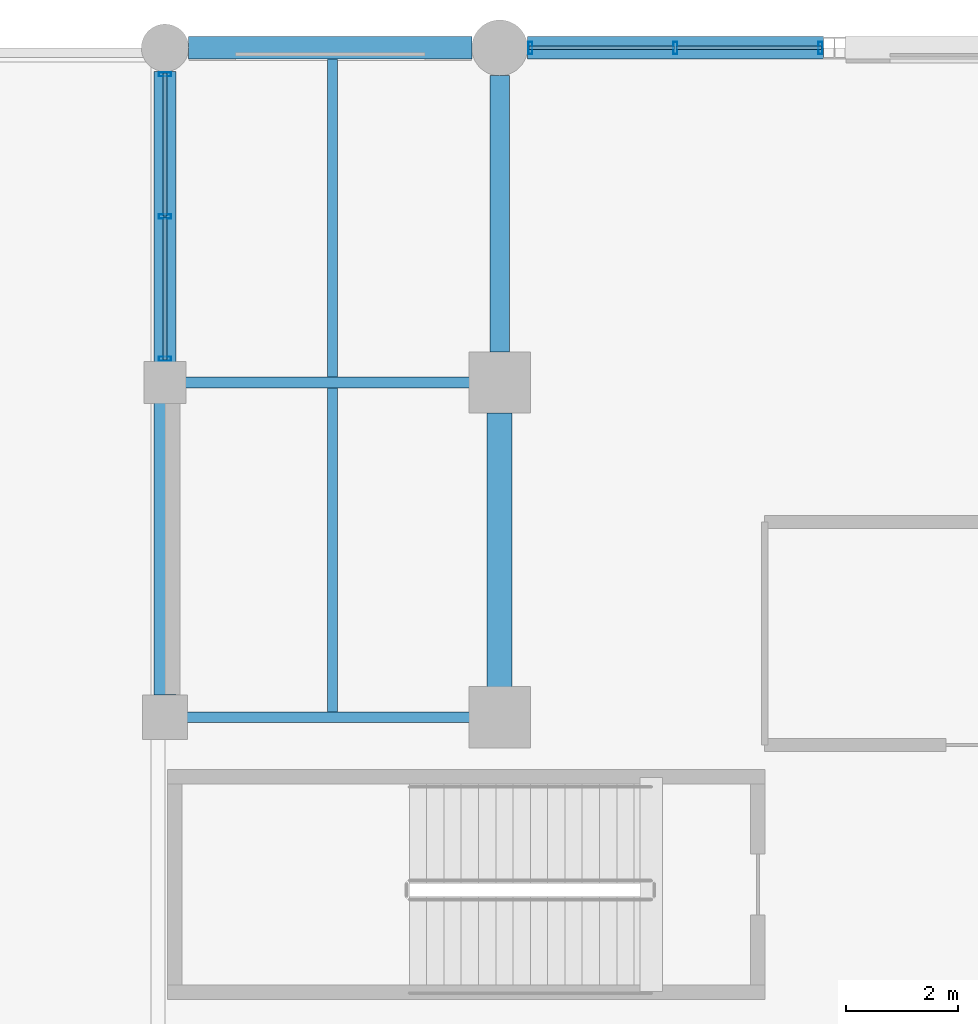
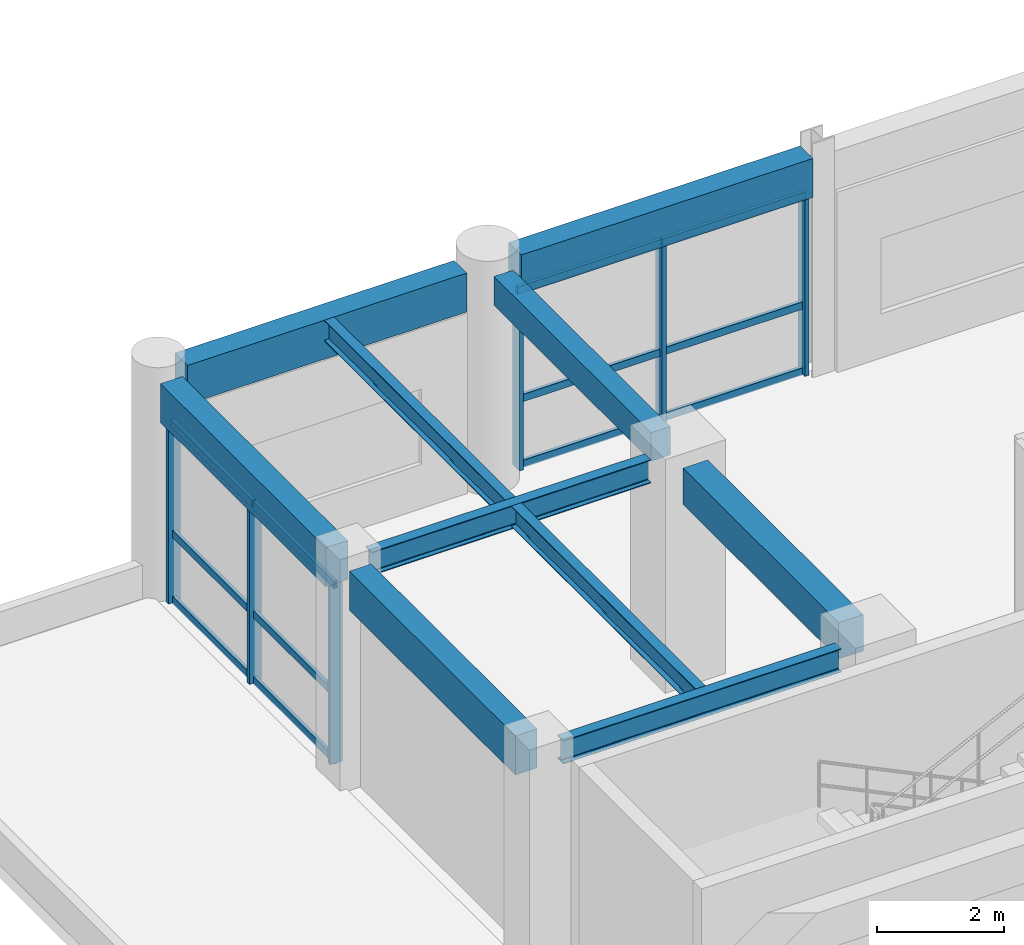
# One storey, part 45 of 133: 18 members, 10 beams, 2 elements without a shape of their own.
"""IFC4 building model written with IfcOpenShell, lengths in metres."""

from ifc_helpers import new_model, si_unit, direction, frame, origin, origin_2d, place, context, subcontext, project, spatial, rectangle, hollow_rectangle, i_section, extrude, material, material_profile, profile_set, type_object, element, aggregate, save


model = new_model("IFC4")

# Units and contexts
model_context = context("Model", 3, precision=1e-05, world=origin(), true_north=direction((0.0, 1.0)))
body_context = subcontext(model_context, "Body", "Model", "MODEL_VIEW")
ifc_project = project(units=[si_unit("LENGTHUNIT", "METRE"), si_unit("AREAUNIT", "SQUARE_METRE"), si_unit("VOLUMEUNIT", "CUBIC_METRE"), si_unit("PLANEANGLEUNIT", "RADIAN"), si_unit("MASSUNIT", "GRAM", prefix="KILO"), si_unit("THERMODYNAMICTEMPERATUREUNIT", "KELVIN"), si_unit("POWERUNIT", "WATT")], contexts=[model_context])

# Site, building, storey
site_placement = place(None, origin())
site = spatial("IfcSite", under=ifc_project, at=site_placement, CompositionType="ELEMENT")
building_placement = place(site_placement, origin())
building = spatial("IfcBuilding", under=site, at=building_placement, Name="Phaisarnlok Congress Hotel", CompositionType="ELEMENT")
storey_placement = place(building_placement, frame((0.0, 0.0, 6.0)))
storey = spatial("IfcBuildingStorey", under=building, at=storey_placement, Name="L01", CompositionType="ELEMENT", Elevation=6.0)

# Beams
ifc_material_1 = material(Name="Concrete C40/50", Category="concrete")
ifc_material_profile_1 = material_profile(ifc_material_1, rectangle(XDim=0.35009765625, YDim=0.550048828125, at=origin_2d()), Name="RC 350x550")
ifc_profile_set_1 = profile_set([ifc_material_profile_1], Name="Concrete C40/50")
beam_type_1 = type_object("IfcBeamType", Name="BM-RC-350x550", PredefinedType="BEAM", material=ifc_profile_set_1)
beam_1_placement = place(storey_placement, frame((72.0, 120.544921875, 3.945068359375), z_axis=(0.0, 1.0, 0.0), x_axis=(-1.0, 0.0, 0.0)))
element("IfcBeam", 1, at=beam_1_placement, inside=storey, type_object=beam_type_1, Name="Beam B-01", PredefinedType="BEAM", context=body_context, shape_type="SweptSolid", body=[
    extrude(rectangle(XDim=0.35009765625, YDim=0.550048828125, at=origin_2d()), origin(), (0.0, 0.0, 1.0), 4.9599609375),
])
ifc_material_profile_2 = material_profile(ifc_material_1, rectangle(XDim=0.449951171875, YDim=0.699951171875, at=origin_2d()), Name="RC 450x700")
ifc_profile_set_2 = profile_set([ifc_material_profile_2], Name="Concrete C40/50")
beam_type_2 = type_object("IfcBeamType", Name="BM-RC-450x700", PredefinedType="BEAM", material=ifc_profile_set_2)
beam_2_placement = place(storey_placement, frame((72.0, 114.544921875, 3.8701171875), z_axis=(0.0, 1.0, 0.0), x_axis=(-1.0, 0.0, 0.0)))
element("IfcBeam", 2, at=beam_2_placement, inside=storey, type_object=beam_type_2, Name="Beam B-03", PredefinedType="BEAM", context=body_context, shape_type="SweptSolid", body=[
    extrude(rectangle(XDim=0.449951171875, YDim=0.699951171875, at=origin_2d()), origin(), (0.0, 0.0, 1.0), 4.91015625),
])
ifc_material_2 = material(Name="Steel S355", Category="steel")
ifc_material_profile_3 = material_profile(ifc_material_2, i_section(OverallWidth=0.18994140625, OverallDepth=0.449951171875, WebThickness=0.009521484375, FlangeThickness=0.0146484375, FilletRadius=0.02099609375, at=origin_2d()), Name="IPE 450")
ifc_profile_set_3 = profile_set([ifc_material_profile_3], Name="Steel S355")
beam_type_3 = type_object("IfcBeamType", Name="BM-STL-IPE450", PredefinedType="BEAM", material=ifc_profile_set_3)
beam_3_placement = place(storey_placement, frame((66.39501953125, 114.0, 3.9951171875), z_axis=(1.0, 0.0, 0.0), x_axis=(0.0, 1.0, 0.0)))
element("IfcBeam", 3, at=beam_3_placement, inside=storey, type_object=beam_type_3, Name="Beam SB-01", PredefinedType="BEAM", context=body_context, shape_type="SweptSolid", body=[
    extrude(i_section(OverallWidth=0.18994140625, OverallDepth=0.449951171875, WebThickness=0.009521484375, FlangeThickness=0.0146484375, FilletRadius=0.02099609375, at=origin_2d()), origin(), (0.0, 0.0, 1.0), 5.06005859375),
])
beam_4_placement = place(storey_placement, frame((66.3701171875, 120.0, 3.9951171875), z_axis=(1.0, 0.0, 0.0), x_axis=(0.0, 1.0, 0.0)))
element("IfcBeam", 4, at=beam_4_placement, inside=storey, type_object=beam_type_3, Name="Beam SB-01", PredefinedType="BEAM", context=body_context, shape_type="SweptSolid", body=[
    extrude(i_section(OverallWidth=0.18994140625, OverallDepth=0.449951171875, WebThickness=0.009521484375, FlangeThickness=0.0146484375, FilletRadius=0.02099609375, at=origin_2d()), origin(), (0.0, 0.0, 1.0), 5.0849609375),
])

# Curtain wall, members
ifc_material_3 = material(Name="Thermally Broken Unitised Aluminium & Low-E Glazing", Category="aluminium")
curtain_wall_type_1 = type_object("IfcCurtainWallType", Name="CW-UNIT-13", PredefinedType="NOTDEFINED", material=ifc_material_3)
curtain_wall_1_placement = place(storey_placement, origin())
curtain_wall_1 = element("IfcCurtainWall", 5, at=curtain_wall_1_placement, inside=storey, type_object=curtain_wall_type_1, Name="Unitised curtain wall CW-13 (L01)", PredefinedType="NOTDEFINED")
ifc_material_4 = material(Name="Anodised Aluminium Alloy 6063-T6", Category="aluminium")
ifc_material_profile_4 = material_profile(ifc_material_4, hollow_rectangle(XDim=0.074951171875, YDim=0.219970703125, WallThickness=0.0048828125, at=origin_2d()), Name="ALU-M 75x220x5")
ifc_profile_set_4 = profile_set([ifc_material_profile_4], Name="Anodised Aluminium Alloy 6063-T6")
member_type_1 = type_object("IfcMemberType", Name="CWM-220", PredefinedType="MULLION", material=ifc_profile_set_4)
member_1_placement = place(storey_placement, frame((77.74951171875, 126.0, 0.0), z_axis=(0.0, 0.0, 1.0), x_axis=(-1.0, 0.0, 0.0)))
member_1 = element("IfcMember", 6, at=member_1_placement, type_object=member_type_1, Name="Curtain wall mullion CWM-02", PredefinedType="MULLION", context=body_context, shape_type="SweptSolid", body=[
    extrude(hollow_rectangle(XDim=0.074951171875, YDim=0.219970703125, WallThickness=0.0048828125, at=origin_2d()), origin(), (0.0, 0.0, 1.0), 3.469970703125),
])
member_2_placement = place(storey_placement, frame((75.149658203125, 126.0, 0.0), z_axis=(0.0, 0.0, 1.0), x_axis=(-1.0, 0.0, 0.0)))
member_2 = element("IfcMember", 7, at=member_2_placement, type_object=member_type_1, Name="Curtain wall mullion CWM-02", PredefinedType="MULLION", context=body_context, shape_type="SweptSolid", body=[
    extrude(hollow_rectangle(XDim=0.074951171875, YDim=0.219970703125, WallThickness=0.0048828125, at=origin_2d()), origin(), (0.0, 0.0, 1.0), 3.469970703125),
])
member_3_placement = place(storey_placement, frame((72.550048828125, 126.0, 0.0), z_axis=(0.0, 0.0, 1.0), x_axis=(-1.0, 0.0, 0.0)))
member_3 = element("IfcMember", 8, at=member_3_placement, type_object=member_type_1, Name="Curtain wall mullion CWM-02", PredefinedType="MULLION", context=body_context, shape_type="SweptSolid", body=[
    extrude(hollow_rectangle(XDim=0.074951171875, YDim=0.219970703125, WallThickness=0.0048828125, at=origin_2d()), origin(), (0.0, 0.0, 1.0), 3.469970703125),
])

curtain_wall_type_2 = type_object("IfcCurtainWallType", Name="CW-UNIT-15", PredefinedType="NOTDEFINED", material=ifc_material_3)
curtain_wall_2_placement = place(storey_placement, origin())
curtain_wall_2 = element("IfcCurtainWall", 9, at=curtain_wall_2_placement, inside=storey, type_object=curtain_wall_type_2, Name="Unitised curtain wall CW-15 (L01)", PredefinedType="NOTDEFINED")
member_4_placement = place(storey_placement, frame((66.0, 125.52490234375, 0.0), z_axis=(0.0, 0.0, 1.0), x_axis=(0.0, -1.0, 0.0)))
member_4 = element("IfcMember", 10, at=member_4_placement, type_object=member_type_1, Name="Curtain wall mullion CWM-02", PredefinedType="MULLION", context=body_context, shape_type="SweptSolid", body=[
    extrude(hollow_rectangle(XDim=0.074951171875, YDim=0.219970703125, WallThickness=0.0048828125, at=origin_2d()), origin(), (0.0, 0.0, 1.0), 3.469970703125),
])
member_5_placement = place(storey_placement, frame((66.0, 122.97509765625, 0.0), z_axis=(0.0, 0.0, 1.0), x_axis=(0.0, -1.0, 0.0)))
member_5 = element("IfcMember", 11, at=member_5_placement, type_object=member_type_1, Name="Curtain wall mullion CWM-02", PredefinedType="MULLION", context=body_context, shape_type="SweptSolid", body=[
    extrude(hollow_rectangle(XDim=0.074951171875, YDim=0.219970703125, WallThickness=0.0048828125, at=origin_2d()), origin(), (0.0, 0.0, 1.0), 3.469970703125),
])
member_6_placement = place(storey_placement, frame((66.0, 120.425048828125, 0.0), z_axis=(0.0, 0.0, 1.0), x_axis=(0.0, -1.0, 0.0)))
member_6 = element("IfcMember", 12, at=member_6_placement, type_object=member_type_1, Name="Curtain wall mullion CWM-02", PredefinedType="MULLION", context=body_context, shape_type="SweptSolid", body=[
    extrude(hollow_rectangle(XDim=0.074951171875, YDim=0.219970703125, WallThickness=0.0048828125, at=origin_2d()), origin(), (0.0, 0.0, 1.0), 3.469970703125),
])

# Member
ifc_material_profile_5 = material_profile(ifc_material_4, hollow_rectangle(XDim=0.06494140625, YDim=0.139892578125, WallThickness=0.00390625, at=origin_2d()), Name="ALU-T 65x140x4")
ifc_profile_set_5 = profile_set([ifc_material_profile_5], Name="Anodised Aluminium Alloy 6063-T6")
member_type_2 = type_object("IfcMemberType", Name="CWT-150", PredefinedType="USERDEFINED", material=ifc_profile_set_5)
member_7_placement = place(storey_placement, frame((77.7744140625, 126.0, 0.050048828125), z_axis=(-1.0, 0.0, 0.0), x_axis=(0.0, -1.0, 0.0)))
member_7 = element("IfcMember", 13, at=member_7_placement, type_object=member_type_2, Name="Curtain wall transom CWT-01", ObjectType="TRANSOM", PredefinedType="USERDEFINED", context=body_context, shape_type="SweptSolid", body=[
    extrude(hollow_rectangle(XDim=0.06494140625, YDim=0.139892578125, WallThickness=0.00390625, at=origin_2d()), origin(), (0.0, 0.0, 1.0), 2.609619140625),
])

member_8_placement = place(storey_placement, frame((77.7744140625, 126.0, 1.318603515625), z_axis=(-1.0, 0.0, 0.0), x_axis=(0.0, -1.0, 0.0)))
member_8 = element("IfcMember", 14, at=member_8_placement, type_object=member_type_2, Name="Curtain wall transom CWT-01", ObjectType="TRANSOM", PredefinedType="USERDEFINED", context=body_context, shape_type="SweptSolid", body=[
    extrude(hollow_rectangle(XDim=0.06494140625, YDim=0.139892578125, WallThickness=0.00390625, at=origin_2d()), origin(), (0.0, 0.0, 1.0), 2.609619140625),
])

member_9_placement = place(storey_placement, frame((77.7744140625, 126.0, 3.419921875), z_axis=(-1.0, 0.0, 0.0), x_axis=(0.0, -1.0, 0.0)))
member_9 = element("IfcMember", 15, at=member_9_placement, type_object=member_type_2, Name="Curtain wall transom CWT-01", ObjectType="TRANSOM", PredefinedType="USERDEFINED", context=body_context, shape_type="SweptSolid", body=[
    extrude(hollow_rectangle(XDim=0.06494140625, YDim=0.139892578125, WallThickness=0.00390625, at=origin_2d()), origin(), (0.0, 0.0, 1.0), 2.609619140625),
])

member_10_placement = place(storey_placement, frame((75.134765625, 126.0, 0.050048828125), z_axis=(-1.0, 0.0, 0.0), x_axis=(0.0, -1.0, 0.0)))
member_10 = element("IfcMember", 16, at=member_10_placement, type_object=member_type_2, Name="Curtain wall transom CWT-01", ObjectType="TRANSOM", PredefinedType="USERDEFINED", context=body_context, shape_type="SweptSolid", body=[
    extrude(hollow_rectangle(XDim=0.06494140625, YDim=0.139892578125, WallThickness=0.00390625, at=origin_2d()), origin(), (0.0, 0.0, 1.0), 2.60986328125),
])

member_11_placement = place(storey_placement, frame((75.134765625, 126.0, 1.318603515625), z_axis=(-1.0, 0.0, 0.0), x_axis=(0.0, -1.0, 0.0)))
member_11 = element("IfcMember", 17, at=member_11_placement, type_object=member_type_2, Name="Curtain wall transom CWT-01", ObjectType="TRANSOM", PredefinedType="USERDEFINED", context=body_context, shape_type="SweptSolid", body=[
    extrude(hollow_rectangle(XDim=0.06494140625, YDim=0.139892578125, WallThickness=0.00390625, at=origin_2d()), origin(), (0.0, 0.0, 1.0), 2.60986328125),
])

member_12_placement = place(storey_placement, frame((75.134765625, 126.0, 3.419921875), z_axis=(-1.0, 0.0, 0.0), x_axis=(0.0, -1.0, 0.0)))
member_12 = element("IfcMember", 18, at=member_12_placement, type_object=member_type_2, Name="Curtain wall transom CWT-01", ObjectType="TRANSOM", PredefinedType="USERDEFINED", context=body_context, shape_type="SweptSolid", body=[
    extrude(hollow_rectangle(XDim=0.06494140625, YDim=0.139892578125, WallThickness=0.00390625, at=origin_2d()), origin(), (0.0, 0.0, 1.0), 2.60986328125),
])

aggregate(curtain_wall_1, [member_1, member_2, member_3, member_7, member_8, member_9, member_10, member_11, member_12])

member_13_placement = place(storey_placement, frame((66.0, 125.550048828125, 0.050048828125), z_axis=(0.0, -1.0, 0.0), x_axis=(1.0, 0.0, 0.0)))
member_13 = element("IfcMember", 19, at=member_13_placement, type_object=member_type_2, Name="Curtain wall transom CWT-01", ObjectType="TRANSOM", PredefinedType="USERDEFINED", context=body_context, shape_type="SweptSolid", body=[
    extrude(hollow_rectangle(XDim=0.06494140625, YDim=0.139892578125, WallThickness=0.00390625, at=origin_2d()), origin(), (0.0, 0.0, 1.0), 2.56005859375),
])

member_14_placement = place(storey_placement, frame((66.0, 125.550048828125, 1.318603515625), z_axis=(0.0, -1.0, 0.0), x_axis=(1.0, 0.0, 0.0)))
member_14 = element("IfcMember", 20, at=member_14_placement, type_object=member_type_2, Name="Curtain wall transom CWT-01", ObjectType="TRANSOM", PredefinedType="USERDEFINED", context=body_context, shape_type="SweptSolid", body=[
    extrude(hollow_rectangle(XDim=0.06494140625, YDim=0.139892578125, WallThickness=0.00390625, at=origin_2d()), origin(), (0.0, 0.0, 1.0), 2.56005859375),
])

member_15_placement = place(storey_placement, frame((66.0, 125.550048828125, 3.419921875), z_axis=(0.0, -1.0, 0.0), x_axis=(1.0, 0.0, 0.0)))
member_15 = element("IfcMember", 21, at=member_15_placement, type_object=member_type_2, Name="Curtain wall transom CWT-01", ObjectType="TRANSOM", PredefinedType="USERDEFINED", context=body_context, shape_type="SweptSolid", body=[
    extrude(hollow_rectangle(XDim=0.06494140625, YDim=0.139892578125, WallThickness=0.00390625, at=origin_2d()), origin(), (0.0, 0.0, 1.0), 2.56005859375),
])

member_16_placement = place(storey_placement, frame((66.0, 122.9599609375, 0.050048828125), z_axis=(0.0, -1.0, 0.0), x_axis=(1.0, 0.0, 0.0)))
member_16 = element("IfcMember", 22, at=member_16_placement, type_object=member_type_2, Name="Curtain wall transom CWT-01", ObjectType="TRANSOM", PredefinedType="USERDEFINED", context=body_context, shape_type="SweptSolid", body=[
    extrude(hollow_rectangle(XDim=0.06494140625, YDim=0.139892578125, WallThickness=0.00390625, at=origin_2d()), origin(), (0.0, 0.0, 1.0), 2.56005859375),
])

member_17_placement = place(storey_placement, frame((66.0, 122.9599609375, 1.318603515625), z_axis=(0.0, -1.0, 0.0), x_axis=(1.0, 0.0, 0.0)))
member_17 = element("IfcMember", 23, at=member_17_placement, type_object=member_type_2, Name="Curtain wall transom CWT-01", ObjectType="TRANSOM", PredefinedType="USERDEFINED", context=body_context, shape_type="SweptSolid", body=[
    extrude(hollow_rectangle(XDim=0.06494140625, YDim=0.139892578125, WallThickness=0.00390625, at=origin_2d()), origin(), (0.0, 0.0, 1.0), 2.56005859375),
])

member_18_placement = place(storey_placement, frame((66.0, 122.9599609375, 3.419921875), z_axis=(0.0, -1.0, 0.0), x_axis=(1.0, 0.0, 0.0)))
member_18 = element("IfcMember", 24, at=member_18_placement, type_object=member_type_2, Name="Curtain wall transom CWT-01", ObjectType="TRANSOM", PredefinedType="USERDEFINED", context=body_context, shape_type="SweptSolid", body=[
    extrude(hollow_rectangle(XDim=0.06494140625, YDim=0.139892578125, WallThickness=0.00390625, at=origin_2d()), origin(), (0.0, 0.0, 1.0), 2.56005859375),
])

aggregate(curtain_wall_2, [member_4, member_5, member_6, member_13, member_14, member_15, member_16, member_17, member_18])

# Beams
ifc_material_profile_6 = material_profile(ifc_material_2, i_section(OverallWidth=0.179931640625, OverallDepth=0.39990234375, WebThickness=0.008544921875, FlangeThickness=0.013427734375, FilletRadius=0.02099609375, at=origin_2d()), Name="IPE 400")
ifc_profile_set_6 = profile_set([ifc_material_profile_6], Name="Steel S355")
beam_type_4 = type_object("IfcBeamType", Name="JS-STL-IPE400", PredefinedType="JOIST", material=ifc_profile_set_6)
beam_5_placement = place(storey_placement, frame((69.0, 114.090087890625, 4.02001953125), z_axis=(0.0, 1.0, 0.0), x_axis=(-1.0, 0.0, 0.0)))
element("IfcBeam", 25, at=beam_5_placement, inside=storey, type_object=beam_type_4, Name="Secondary floor joist J-05", PredefinedType="JOIST", context=body_context, shape_type="SweptSolid", body=[
    extrude(i_section(OverallWidth=0.179931640625, OverallDepth=0.39990234375, WebThickness=0.008544921875, FlangeThickness=0.013427734375, FilletRadius=0.02099609375, at=origin_2d()), origin(), (0.0, 0.0, 1.0), 5.81982421875),
])
beam_6_placement = place(storey_placement, frame((69.0, 120.090087890625, 4.02001953125), z_axis=(0.0, 1.0, 0.0), x_axis=(-1.0, 0.0, 0.0)))
element("IfcBeam", 26, at=beam_6_placement, inside=storey, type_object=beam_type_4, Name="Secondary floor joist J-05", PredefinedType="JOIST", context=body_context, shape_type="SweptSolid", body=[
    extrude(i_section(OverallWidth=0.179931640625, OverallDepth=0.39990234375, WebThickness=0.008544921875, FlangeThickness=0.013427734375, FilletRadius=0.02099609375, at=origin_2d()), origin(), (0.0, 0.0, 1.0), 5.71484375),
])
ifc_material_profile_7 = material_profile(ifc_material_1, rectangle(XDim=0.39990234375, YDim=0.75, at=origin_2d()), Name="RC 400x750")
ifc_profile_set_7 = profile_set([ifc_material_profile_7], Name="Concrete C40/50")
beam_type_5 = type_object("IfcBeamType", Name="SP-RC-400x750", PredefinedType="SPANDREL", material=ifc_profile_set_7)
beam_7_placement = place(storey_placement, frame((66.0, 114.39501953125, 3.844970703125), z_axis=(0.0, 1.0, 0.0), x_axis=(-1.0, 0.0, 0.0)))
element("IfcBeam", 27, at=beam_7_placement, inside=storey, type_object=beam_type_5, Name="Beam SP-02", PredefinedType="SPANDREL", context=body_context, shape_type="SweptSolid", body=[
    extrude(rectangle(XDim=0.39990234375, YDim=0.75, at=origin_2d()), origin(), (0.0, 0.0, 1.0), 5.23486328125),
])
beam_8_placement = place(storey_placement, frame((66.0, 120.3701171875, 3.844970703125), z_axis=(0.0, 1.0, 0.0), x_axis=(-1.0, 0.0, 0.0)))
element("IfcBeam", 28, at=beam_8_placement, inside=storey, type_object=beam_type_5, Name="Beam SP-02", PredefinedType="SPANDREL", context=body_context, shape_type="SweptSolid", body=[
    extrude(rectangle(XDim=0.39990234375, YDim=0.75, at=origin_2d()), origin(), (0.0, 0.0, 1.0), 5.2099609375),
])
beam_9_placement = place(storey_placement, frame((66.419921875, 126.0, 3.844970703125), z_axis=(1.0, 0.0, 0.0), x_axis=(0.0, 1.0, 0.0)))
element("IfcBeam", 29, at=beam_9_placement, inside=storey, type_object=beam_type_5, Name="Beam SP-02", PredefinedType="SPANDREL", context=body_context, shape_type="SweptSolid", body=[
    extrude(rectangle(XDim=0.39990234375, YDim=0.75, at=origin_2d()), origin(), (0.0, 0.0, 1.0), 5.0849609375),
])
beam_10_placement = place(storey_placement, frame((72.4951171875, 126.0, 3.844970703125), z_axis=(1.0, 0.0, 0.0), x_axis=(0.0, 1.0, 0.0)))
element("IfcBeam", 30, at=beam_10_placement, inside=storey, type_object=beam_type_5, Name="Beam SP-02", PredefinedType="SPANDREL", context=body_context, shape_type="SweptSolid", body=[
    extrude(rectangle(XDim=0.39990234375, YDim=0.75, at=origin_2d()), origin(), (0.0, 0.0, 1.0), 5.309326171875),
])

save(model, "model.ifc")
